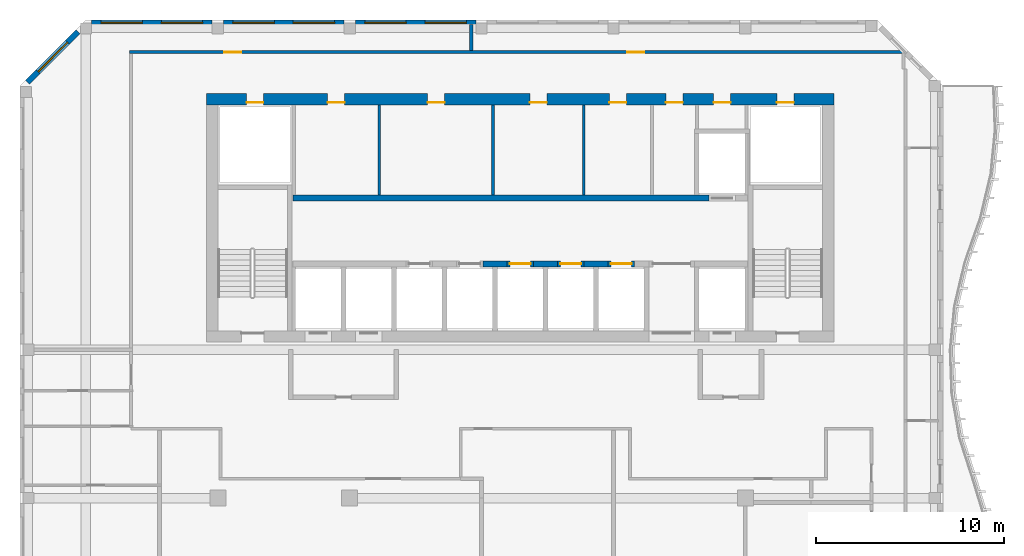
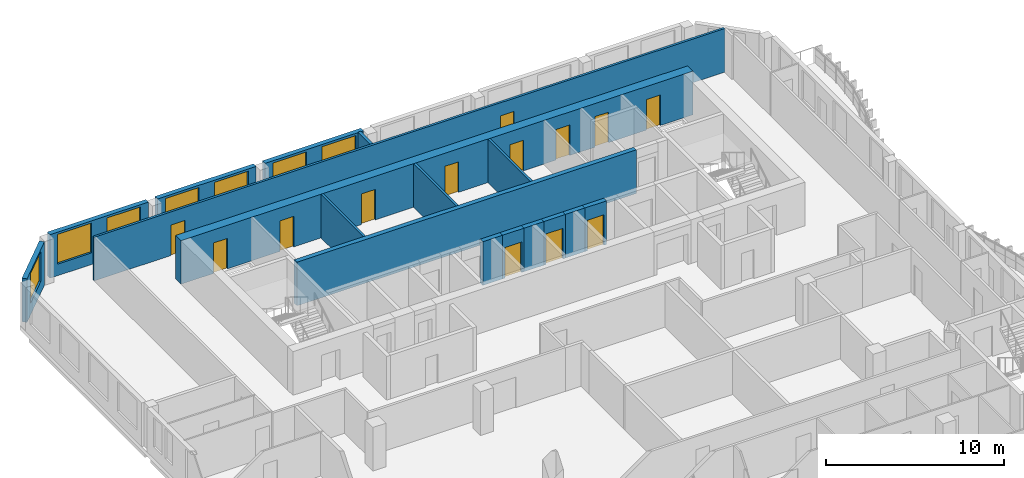
# One storey, part 7 of 14: 17 walls, 13 doors, 7 windows, 20 openings.
"""IFC4 building model written with IfcOpenShell, lengths in metres."""

from ifc_helpers import new_model, si_unit, direction, frame, frame_2d, origin, place, context, subcontext, project, spatial, rectangle, extrude, source, transform, mapped, material, layer, layer_set, type_object, element, fill, save


model = new_model("IFC4")

# Units and contexts
model_context = context("Model", 3, precision=1e-05, world=origin(), true_north=direction((0.0, 1.0)))
body_context = subcontext(model_context, "Body", "Model", "MODEL_VIEW")
ifc_project = project(units=[si_unit("LENGTHUNIT", "METRE"), si_unit("AREAUNIT", "SQUARE_METRE"), si_unit("VOLUMEUNIT", "CUBIC_METRE"), si_unit("PLANEANGLEUNIT", "RADIAN"), si_unit("MASSUNIT", "GRAM", prefix="KILO")], contexts=[model_context])

# Site, building, storey
site_placement = place(None, origin())
site = spatial("IfcSite", under=ifc_project, at=site_placement, CompositionType="ELEMENT")
building_placement = place(site_placement, origin())
building = spatial("IfcBuilding", under=site, at=building_placement, Name="Kilnfold Tower and Market Hall", CompositionType="ELEMENT")
storey_placement = place(building_placement, frame((0.0, 0.0, 315.39990234375)))
storey = spatial("IfcBuildingStorey", under=building, at=storey_placement, Name="L79", CompositionType="ELEMENT", Elevation=315.39990234375)

# Wall, openings, doors
ifc_material_1 = material(Name="Gypsum board on steel studs", Category="steel")
ifc_layer_1 = layer(ifc_material_1, 0.14990234375)
ifc_layer_set_1 = layer_set([ifc_layer_1], Name="Gypsum board on steel studs")
wall_type_1 = type_object("IfcWallType", Name="WALL CORRIDOR 150", PredefinedType="PARTITIONING", material=ifc_layer_set_1)
wall_1_placement = place(storey_placement, frame((-19.675048828125, 23.800048828125, 0.0), z_axis=(0.0, 0.0, 1.0), x_axis=(1.0, 0.0, 0.0)))
wall_1 = element("IfcWall", 1, at=wall_1_placement, inside=storey, type_object=wall_type_1, Name="Partition LY47.11", PredefinedType="PARTITIONING", context=body_context, shape_type="SweptSolid", body=[
    extrude(rectangle(XDim=41.02099609375, YDim=0.14990234375, at=frame_2d((20.510498046875, 0.0))), origin(), (0.0, 0.0, 1.0), 3.0),
])
opening_1_placement = place(wall_1_placement, frame((5.010009765625, 0.0, 0.0)))
opening_1 = element("IfcOpeningElement", 2, at=opening_1_placement, cuts=wall_1, Name="Opening D2", PredefinedType="OPENING", context=body_context, shape_type="SweptSolid", body=[
    extrude(rectangle(XDim=0.89990234375, YDim=2.10009765625, at=frame_2d((0.449951171875, 1.050048828125))), frame((0.0, 0.0849609375, 0.0), z_axis=(0.0, -1.0, 0.0), x_axis=(1.0, 0.0, 0.0)), (0.0, 0.0, 1.0), 0.169921875),
])
opening_2_placement = place(wall_1_placement, frame((26.4169921875, 0.0, 0.0)))
opening_2 = element("IfcOpeningElement", 3, at=opening_2_placement, cuts=wall_1, Name="Opening D2", PredefinedType="OPENING", context=body_context, shape_type="SweptSolid", body=[
    extrude(rectangle(XDim=0.89990234375, YDim=2.10009765625, at=frame_2d((0.449951171875, 1.050048828125))), frame((0.0, 0.0849609375, 0.0), z_axis=(0.0, -1.0, 0.0), x_axis=(1.0, 0.0, 0.0)), (0.0, 0.0, 1.0), 0.169921875),
])
ifc_material_2 = material(Name="Timber veneer door leaf in steel frame", Category="steel")
door_type_1 = type_object("IfcDoorType", Name="DOOR ROOM 900 X2100", OperationType="NOTDEFINED", PredefinedType="DOOR", material=ifc_material_2)
door_1_placement = place(opening_1_placement, origin())
door_1 = element("IfcDoor", 4, at=door_1_placement, inside=storey, type_object=door_type_1, Name="Door D2", OperationType="SINGLE_SWING_LEFT", OverallHeight=2.10009765625, OverallWidth=0.89990234375, PredefinedType="DOOR", context=body_context, shape_type="SweptSolid", body=[
    extrude(rectangle(XDim=0.89990234375, YDim=2.10009765625, at=frame_2d((0.449951171875, 1.050048828125))), frame((0.0, 0.02490234375, 0.0), z_axis=(0.0, -1.0, 0.0), x_axis=(1.0, 0.0, 0.0)), (0.0, 0.0, 1.0), 0.050048828125),
])
fill(opening_1, door_1)
door_2_placement = place(opening_2_placement, origin())
door_2 = element("IfcDoor", 5, at=door_2_placement, inside=storey, type_object=door_type_1, Name="Door D2", OperationType="SINGLE_SWING_RIGHT", OverallHeight=2.10009765625, OverallWidth=0.89990234375, PredefinedType="DOOR", context=body_context, shape_type="SweptSolid", body=[
    extrude(rectangle(XDim=0.89990234375, YDim=2.10009765625, at=frame_2d((0.449951171875, 1.050048828125))), frame((0.0, 0.02490234375, 0.0), z_axis=(0.0, -1.0, 0.0), x_axis=(1.0, 0.0, 0.0)), (0.0, 0.0, 1.0), 0.050048828125),
])
fill(opening_2, door_2)

# Walls
ifc_material_3 = material(Name="Gypsum board on steel studs", Category="steel")
ifc_layer_2 = layer(ifc_material_3, 0.199951171875)
ifc_layer_set_2 = layer_set([ifc_layer_2], Name="Gypsum board on steel studs")
wall_type_2 = type_object("IfcWallType", Name="WALL PARTY 200", PredefinedType="PARTITIONING", material=ifc_layer_set_2)
wall_2_placement = place(storey_placement, frame((-1.550048828125, 23.876953125, 0.0), z_axis=(0.0, 0.0, 1.0), x_axis=(0.0, 1.0, 0.0)))
element("IfcWall", 6, at=wall_2_placement, inside=storey, type_object=wall_type_2, Name="Partition LY47.69", PredefinedType="PARTITIONING", context=body_context, shape_type="SweptSolid", body=[
    extrude(rectangle(XDim=1.373046875, YDim=0.199951171875, at=frame_2d((0.6865234375, 0.0))), origin(), (0.0, 0.0, 1.0), 3.0),
])
ifc_material_4 = material(Name="Concrete C50", Category="concrete")
ifc_layer_3 = layer(ifc_material_4, 0.300048828125)
ifc_layer_set_3 = layer_set([ifc_layer_3], Name="Concrete C50")
wall_type_3 = type_object("IfcWallType", Name="CORE WALL 300 C50", PredefinedType="SHEAR", material=ifc_layer_set_3)
shared_shape_1 = source(origin(), body_context, "Body", "SweptSolid", [
    extrude(rectangle(XDim=1.280029296875, YDim=0.300048828125, at=frame_2d((0.64013671875, 0.0))), origin(), (0.0, 0.0, 1.0), 3.0),
])
for number, where, z_axis, x_axis, name in (
    (7, (-0.929931640625, 12.550048828125, 0.0), (0.0, 0.0, 1.0), (1.0, 0.0, 0.0), "Core spine wall"),
    (8, (1.75, 12.550048828125, 0.0), (0.0, 0.0, 1.0), (1.0, 0.0, 0.0), "Core spine wall"),
    (9, (4.429931640625, 12.550048828125, 0.0), (0.0, 0.0, 1.0), (1.0, 0.0, 0.0), "Core spine wall"),
):
    element("IfcWall", number, at=place(storey_placement, frame(where, z_axis=z_axis, x_axis=x_axis)), inside=storey, type_object=wall_type_3, Name=name, PredefinedType="SHEAR", context=body_context, shape_type="MappedRepresentation", body=[
        mapped(shared_shape_1, transform((0.0, 0.0, 0.0))),
    ])
shared_shape_2 = source(origin(), body_context, "Body", "SweptSolid", [
    extrude(rectangle(XDim=22.080078125, YDim=0.300048828125, at=frame_2d((11.0400390625, 0.0))), origin(), (0.0, 0.0, 1.0), 3.0),
])
wall_3_placement = place(storey_placement, frame((-11.010009765625, 16.050048828125, 0.0), z_axis=(0.0, 0.0, 1.0), x_axis=(1.0, 0.0, 0.0)))
element("IfcWall", 10, at=wall_3_placement, inside=storey, type_object=wall_type_3, Name="Core spine wall", PredefinedType="SHEAR", context=body_context, shape_type="MappedRepresentation", body=[
    mapped(shared_shape_2, transform((0.0, 0.0, 0.0))),
])

# Wall, openings, doors
ifc_material_5 = material(Name="Concrete C50", Category="concrete")
ifc_layer_4 = layer(ifc_material_5, 0.60009765625)
ifc_layer_set_4 = layer_set([ifc_layer_4], Name="Concrete C50")
wall_type_4 = type_object("IfcWallType", Name="CORE WALL 600 C50", PredefinedType="SHEAR", material=ifc_layer_set_4)
shared_shape_3 = source(origin(), body_context, "Body", "SweptSolid", [
    extrude(rectangle(XDim=33.300048828125, YDim=0.60009765625, at=frame_2d((16.64990234375, 0.0))), origin(), (0.0, 0.0, 1.0), 3.0),
])
wall_4_placement = place(storey_placement, frame((-15.60009765625, 21.300048828125, 0.0), z_axis=(0.0, 0.0, 1.0), x_axis=(1.0, 0.0, 0.0)))
wall_4 = element("IfcWall", 11, at=wall_4_placement, inside=storey, type_object=wall_type_4, Name="Core outer wall north", PredefinedType="SHEAR", context=body_context, shape_type="MappedRepresentation", body=[
    mapped(shared_shape_3, transform((0.0, 0.0, 0.0))),
])
opening_3_placement = place(wall_4_placement, frame((6.431396484375, 0.0, 0.0)))
opening_3 = element("IfcOpeningElement", 12, at=opening_3_placement, cuts=wall_4, Name="Opening KD1", PredefinedType="OPENING", context=body_context, shape_type="SweptSolid", body=[
    extrude(rectangle(XDim=0.89990234375, YDim=2.10009765625, at=frame_2d((0.449951171875, 1.050048828125))), frame((0.0, 0.31005859375, 0.0), z_axis=(0.0, -1.0, 0.0), x_axis=(1.0, 0.0, 0.0)), (0.0, 0.0, 1.0), 0.6201171875),
])
opening_4_placement = place(wall_4_placement, frame((11.73779296875, 0.0, 0.0)))
opening_4 = element("IfcOpeningElement", 13, at=opening_4_placement, cuts=wall_4, Name="Opening KD1", PredefinedType="OPENING", context=body_context, shape_type="SweptSolid", body=[
    extrude(rectangle(XDim=0.89990234375, YDim=2.10009765625, at=frame_2d((0.449951171875, 1.050048828125))), frame((0.0, 0.31005859375, 0.0), z_axis=(0.0, -1.0, 0.0), x_axis=(1.0, 0.0, 0.0)), (0.0, 0.0, 1.0), 0.6201171875),
])
opening_5_placement = place(wall_4_placement, frame((17.164794921875, 0.0, 0.0)))
opening_5 = element("IfcOpeningElement", 14, at=opening_5_placement, cuts=wall_4, Name="Opening KD1", PredefinedType="OPENING", context=body_context, shape_type="SweptSolid", body=[
    extrude(rectangle(XDim=0.89990234375, YDim=2.10009765625, at=frame_2d((0.449951171875, 1.050048828125))), frame((0.0, 0.31005859375, 0.0), z_axis=(0.0, -1.0, 0.0), x_axis=(1.0, 0.0, 0.0)), (0.0, 0.0, 1.0), 0.6201171875),
])
opening_6_placement = place(wall_4_placement, frame((21.3857421875, 0.0, 0.0)))
opening_6 = element("IfcOpeningElement", 15, at=opening_6_placement, cuts=wall_4, Name="Opening KD1", PredefinedType="OPENING", context=body_context, shape_type="SweptSolid", body=[
    extrude(rectangle(XDim=0.89990234375, YDim=2.10009765625, at=frame_2d((0.449951171875, 1.050048828125))), frame((0.0, 0.31005859375, 0.0), z_axis=(0.0, -1.0, 0.0), x_axis=(1.0, 0.0, 0.0)), (0.0, 0.0, 1.0), 0.6201171875),
])
opening_7_placement = place(wall_4_placement, frame((24.387451171875, 0.0, 0.0)))
opening_7 = element("IfcOpeningElement", 16, at=opening_7_placement, cuts=wall_4, Name="Opening KD1", PredefinedType="OPENING", context=body_context, shape_type="SweptSolid", body=[
    extrude(rectangle(XDim=0.89990234375, YDim=2.10009765625, at=frame_2d((0.449951171875, 1.050048828125))), frame((0.0, 0.31005859375, 0.0), z_axis=(0.0, -1.0, 0.0), x_axis=(1.0, 0.0, 0.0)), (0.0, 0.0, 1.0), 0.6201171875),
])
opening_8_placement = place(wall_4_placement, frame((26.919921875, 0.0, 0.0)))
opening_8 = element("IfcOpeningElement", 17, at=opening_8_placement, cuts=wall_4, Name="Opening KD1", PredefinedType="OPENING", context=body_context, shape_type="SweptSolid", body=[
    extrude(rectangle(XDim=0.89990234375, YDim=2.10009765625, at=frame_2d((0.449951171875, 1.050048828125))), frame((0.0, 0.31005859375, 0.0), z_axis=(0.0, -1.0, 0.0), x_axis=(1.0, 0.0, 0.0)), (0.0, 0.0, 1.0), 0.6201171875),
])
opening_9_placement = place(wall_4_placement, frame((2.125, 0.0, 0.0)))
opening_9 = element("IfcOpeningElement", 18, at=opening_9_placement, cuts=wall_4, Name="Opening KD1", PredefinedType="OPENING", context=body_context, shape_type="SweptSolid", body=[
    extrude(rectangle(XDim=0.89990234375, YDim=2.10009765625, at=frame_2d((0.449951171875, 1.050048828125))), frame((0.0, 0.31005859375, 0.0), z_axis=(0.0, -1.0, 0.0), x_axis=(1.0, 0.0, 0.0)), (0.0, 0.0, 1.0), 0.6201171875),
])
opening_10_placement = place(wall_4_placement, frame((30.27490234375, 0.0, 0.0)))
opening_10 = element("IfcOpeningElement", 19, at=opening_10_placement, cuts=wall_4, Name="Opening KD1", PredefinedType="OPENING", context=body_context, shape_type="SweptSolid", body=[
    extrude(rectangle(XDim=0.89990234375, YDim=2.10009765625, at=frame_2d((0.449951171875, 1.050048828125))), frame((0.0, 0.31005859375, 0.0), z_axis=(0.0, -1.0, 0.0), x_axis=(1.0, 0.0, 0.0)), (0.0, 0.0, 1.0), 0.6201171875),
])
ifc_material_6 = material(Name="Steel door set with fire-resisting leaf", Category="steel")
door_type_2 = type_object("IfcDoorType", Name="SERVICE DOOR 900X2100", OperationType="NOTDEFINED", PredefinedType="DOOR", material=ifc_material_6)
door_3_placement = place(opening_3_placement, origin())
door_3 = element("IfcDoor", 20, at=door_3_placement, inside=storey, type_object=door_type_2, Name="Core service door", OperationType="SINGLE_SWING_RIGHT", OverallHeight=2.10009765625, OverallWidth=0.89990234375, PredefinedType="DOOR", context=body_context, shape_type="SweptSolid", body=[
    extrude(rectangle(XDim=0.89990234375, YDim=2.10009765625, at=frame_2d((0.449951171875, 1.050048828125))), frame((0.0, -0.15478515625, 0.0), z_axis=(0.0, -1.0, 0.0), x_axis=(1.0, 0.0, 0.0)), (0.0, 0.0, 1.0), 0.050048828125),
])
fill(opening_3, door_3)
door_4_placement = place(opening_4_placement, origin())
door_4 = element("IfcDoor", 21, at=door_4_placement, inside=storey, type_object=door_type_2, Name="Core service door", OperationType="SINGLE_SWING_LEFT", OverallHeight=2.10009765625, OverallWidth=0.89990234375, PredefinedType="DOOR", context=body_context, shape_type="SweptSolid", body=[
    extrude(rectangle(XDim=0.89990234375, YDim=2.10009765625, at=frame_2d((0.449951171875, 1.050048828125))), frame((0.0, -0.15478515625, 0.0), z_axis=(0.0, -1.0, 0.0), x_axis=(1.0, 0.0, 0.0)), (0.0, 0.0, 1.0), 0.050048828125),
])
fill(opening_4, door_4)
door_5_placement = place(opening_5_placement, origin())
door_5 = element("IfcDoor", 22, at=door_5_placement, inside=storey, type_object=door_type_2, Name="Core service door", OperationType="SINGLE_SWING_RIGHT", OverallHeight=2.10009765625, OverallWidth=0.89990234375, PredefinedType="DOOR", context=body_context, shape_type="SweptSolid", body=[
    extrude(rectangle(XDim=0.89990234375, YDim=2.10009765625, at=frame_2d((0.449951171875, 1.050048828125))), frame((0.0, -0.15478515625, 0.0), z_axis=(0.0, -1.0, 0.0), x_axis=(1.0, 0.0, 0.0)), (0.0, 0.0, 1.0), 0.050048828125),
])
fill(opening_5, door_5)
door_6_placement = place(opening_6_placement, origin())
door_6 = element("IfcDoor", 23, at=door_6_placement, inside=storey, type_object=door_type_2, Name="Core service door", OperationType="SINGLE_SWING_LEFT", OverallHeight=2.10009765625, OverallWidth=0.89990234375, PredefinedType="DOOR", context=body_context, shape_type="SweptSolid", body=[
    extrude(rectangle(XDim=0.89990234375, YDim=2.10009765625, at=frame_2d((0.449951171875, 1.050048828125))), frame((0.0, -0.15478515625, 0.0), z_axis=(0.0, -1.0, 0.0), x_axis=(1.0, 0.0, 0.0)), (0.0, 0.0, 1.0), 0.050048828125),
])
fill(opening_6, door_6)
door_7_placement = place(opening_7_placement, origin())
door_7 = element("IfcDoor", 24, at=door_7_placement, inside=storey, type_object=door_type_2, Name="Core service door", OperationType="SINGLE_SWING_RIGHT", OverallHeight=2.10009765625, OverallWidth=0.89990234375, PredefinedType="DOOR", context=body_context, shape_type="SweptSolid", body=[
    extrude(rectangle(XDim=0.89990234375, YDim=2.10009765625, at=frame_2d((0.449951171875, 1.050048828125))), frame((0.0, -0.15478515625, 0.0), z_axis=(0.0, -1.0, 0.0), x_axis=(1.0, 0.0, 0.0)), (0.0, 0.0, 1.0), 0.050048828125),
])
fill(opening_7, door_7)
door_8_placement = place(opening_8_placement, origin())
door_8 = element("IfcDoor", 25, at=door_8_placement, inside=storey, type_object=door_type_2, Name="Core service door", OperationType="SINGLE_SWING_LEFT", OverallHeight=2.10009765625, OverallWidth=0.89990234375, PredefinedType="DOOR", context=body_context, shape_type="SweptSolid", body=[
    extrude(rectangle(XDim=0.89990234375, YDim=2.10009765625, at=frame_2d((0.449951171875, 1.050048828125))), frame((0.0, -0.15478515625, 0.0), z_axis=(0.0, -1.0, 0.0), x_axis=(1.0, 0.0, 0.0)), (0.0, 0.0, 1.0), 0.050048828125),
])
fill(opening_8, door_8)
door_9_placement = place(opening_9_placement, origin())
door_9 = element("IfcDoor", 26, at=door_9_placement, inside=storey, type_object=door_type_2, Name="Electrical riser access door", OperationType="SINGLE_SWING_RIGHT", OverallHeight=2.10009765625, OverallWidth=0.89990234375, PredefinedType="DOOR", context=body_context, shape_type="SweptSolid", body=[
    extrude(rectangle(XDim=0.89990234375, YDim=2.10009765625, at=frame_2d((0.449951171875, 1.050048828125))), frame((0.0, -0.15478515625, 0.0), z_axis=(0.0, -1.0, 0.0), x_axis=(1.0, 0.0, 0.0)), (0.0, 0.0, 1.0), 0.050048828125),
])
fill(opening_9, door_9)
door_10_placement = place(opening_10_placement, origin())
door_10 = element("IfcDoor", 27, at=door_10_placement, inside=storey, type_object=door_type_2, Name="Mechanical riser access door", OperationType="SINGLE_SWING_LEFT", OverallHeight=2.10009765625, OverallWidth=0.89990234375, PredefinedType="DOOR", context=body_context, shape_type="SweptSolid", body=[
    extrude(rectangle(XDim=0.89990234375, YDim=2.10009765625, at=frame_2d((0.449951171875, 1.050048828125))), frame((0.0, -0.15478515625, 0.0), z_axis=(0.0, -1.0, 0.0), x_axis=(1.0, 0.0, 0.0)), (0.0, 0.0, 1.0), 0.050048828125),
])
fill(opening_10, door_10)

# Wall, openings, windows
ifc_material_7 = material(Name="Precast concrete C50/60", Category="concrete")
ifc_layer_5 = layer(ifc_material_7, 0.300048828125)
ifc_layer_set_5 = layer_set([ifc_layer_5], Name="Precast concrete C50/60")
wall_type_5 = type_object("IfcWallType", Name="PRECAST WALL 300", PredefinedType="SOLIDWALL", material=ifc_layer_set_5)
shared_shape_4 = source(origin(), body_context, "Body", "SweptSolid", [
    extrude(rectangle(XDim=6.39990234375, YDim=0.300048828125, at=frame_2d((3.199951171875, 0.0))), origin(), (0.0, 0.0, 1.0), 3.0),
])
wall_5_placement = place(storey_placement, frame((-1.300048828125, 25.35009765625, 0.0), z_axis=(0.0, 0.0, 1.0), x_axis=(-1.0, 0.0, 0.0)))
wall_5 = element("IfcWall", 28, at=wall_5_placement, inside=storey, type_object=wall_type_5, Name="External wall L79 N", PredefinedType="SOLIDWALL", context=body_context, shape_type="MappedRepresentation", body=[
    mapped(shared_shape_4, transform((0.0, 0.0, 0.0))),
])
opening_11_placement = place(wall_5_placement, frame((0.5, 0.0, 0.800048828125)))
opening_11 = element("IfcOpeningElement", 29, at=opening_11_placement, cuts=wall_5, Name="Opening W3", PredefinedType="OPENING", context=body_context, shape_type="SweptSolid", body=[
    extrude(rectangle(XDim=2.199951171875, YDim=2.050048828125, at=frame_2d((1.10009765625, 1.02490234375))), frame((0.0, 0.16015625, 0.0), z_axis=(0.0, -1.0, 0.0), x_axis=(1.0, 0.0, 0.0)), (0.0, 0.0, 1.0), 0.320068359375),
])
opening_12_placement = place(wall_5_placement, frame((3.699951171875, 0.0, 0.800048828125)))
opening_12 = element("IfcOpeningElement", 30, at=opening_12_placement, cuts=wall_5, Name="Opening W3", PredefinedType="OPENING", context=body_context, shape_type="SweptSolid", body=[
    extrude(rectangle(XDim=2.199951171875, YDim=2.050048828125, at=frame_2d((1.10009765625, 1.02490234375))), frame((0.0, 0.16015625, 0.0), z_axis=(0.0, -1.0, 0.0), x_axis=(1.0, 0.0, 0.0)), (0.0, 0.0, 1.0), 0.320068359375),
])
ifc_material_8 = material(Name="Aluminium frame and double glazing", Category="aluminium")
window_type = type_object("IfcWindowType", Name="WINDOW W3 2200X2050", PartitioningType="SINGLE_PANEL", PredefinedType="WINDOW", material=ifc_material_8)
window_1_placement = place(opening_11_placement, origin())
window_1 = element("IfcWindow", 31, at=window_1_placement, inside=storey, type_object=window_type, Name="Window W3 L79 N-1", OverallHeight=2.050048828125, OverallWidth=2.199951171875, PartitioningType="SINGLE_PANEL", PredefinedType="WINDOW", context=body_context, shape_type="SweptSolid", body=[
    extrude(rectangle(XDim=2.199951171875, YDim=2.050048828125, at=frame_2d((1.10009765625, 1.02490234375))), frame((0.0, 0.030029296875, 0.0), z_axis=(0.0, -1.0, 0.0), x_axis=(1.0, 0.0, 0.0)), (0.0, 0.0, 1.0), 0.06005859375),
])
fill(opening_11, window_1)
window_2_placement = place(opening_12_placement, origin())
window_2 = element("IfcWindow", 32, at=window_2_placement, inside=storey, type_object=window_type, Name="Window W3 L79 N-2", OverallHeight=2.050048828125, OverallWidth=2.199951171875, PartitioningType="SINGLE_PANEL", PredefinedType="WINDOW", context=body_context, shape_type="SweptSolid", body=[
    extrude(rectangle(XDim=2.199951171875, YDim=2.050048828125, at=frame_2d((1.10009765625, 1.02490234375))), frame((0.0, 0.030029296875, 0.0), z_axis=(0.0, -1.0, 0.0), x_axis=(1.0, 0.0, 0.0)), (0.0, 0.0, 1.0), 0.06005859375),
])
fill(opening_12, window_2)

wall_6_placement = place(storey_placement, frame((-8.300048828125, 25.35009765625, 0.0), z_axis=(0.0, 0.0, 1.0), x_axis=(-1.0, 0.0, 0.0)))
wall_6 = element("IfcWall", 33, at=wall_6_placement, inside=storey, type_object=wall_type_5, Name="External wall L79 N", PredefinedType="SOLIDWALL", context=body_context, shape_type="MappedRepresentation", body=[
    mapped(shared_shape_4, transform((0.0, 0.0, 0.0))),
])
opening_13_placement = place(wall_6_placement, frame((0.5, 0.0, 0.800048828125)))
opening_13 = element("IfcOpeningElement", 34, at=opening_13_placement, cuts=wall_6, Name="Opening W3", PredefinedType="OPENING", context=body_context, shape_type="SweptSolid", body=[
    extrude(rectangle(XDim=2.199951171875, YDim=2.050048828125, at=frame_2d((1.10009765625, 1.02490234375))), frame((0.0, 0.16015625, 0.0), z_axis=(0.0, -1.0, 0.0), x_axis=(1.0, 0.0, 0.0)), (0.0, 0.0, 1.0), 0.320068359375),
])
opening_14_placement = place(wall_6_placement, frame((3.699951171875, 0.0, 0.800048828125)))
opening_14 = element("IfcOpeningElement", 35, at=opening_14_placement, cuts=wall_6, Name="Opening W3", PredefinedType="OPENING", context=body_context, shape_type="SweptSolid", body=[
    extrude(rectangle(XDim=2.199951171875, YDim=2.050048828125, at=frame_2d((1.10009765625, 1.02490234375))), frame((0.0, 0.16015625, 0.0), z_axis=(0.0, -1.0, 0.0), x_axis=(1.0, 0.0, 0.0)), (0.0, 0.0, 1.0), 0.320068359375),
])
window_3_placement = place(opening_13_placement, origin())
window_3 = element("IfcWindow", 36, at=window_3_placement, inside=storey, type_object=window_type, Name="Window W3 L79 N-1", OverallHeight=2.050048828125, OverallWidth=2.199951171875, PartitioningType="SINGLE_PANEL", PredefinedType="WINDOW", context=body_context, shape_type="SweptSolid", body=[
    extrude(rectangle(XDim=2.199951171875, YDim=2.050048828125, at=frame_2d((1.10009765625, 1.02490234375))), frame((0.0, 0.030029296875, 0.0), z_axis=(0.0, -1.0, 0.0), x_axis=(1.0, 0.0, 0.0)), (0.0, 0.0, 1.0), 0.06005859375),
])
fill(opening_13, window_3)
window_4_placement = place(opening_14_placement, origin())
window_4 = element("IfcWindow", 37, at=window_4_placement, inside=storey, type_object=window_type, Name="Window W3 L79 N-2", OverallHeight=2.050048828125, OverallWidth=2.199951171875, PartitioningType="SINGLE_PANEL", PredefinedType="WINDOW", context=body_context, shape_type="SweptSolid", body=[
    extrude(rectangle(XDim=2.199951171875, YDim=2.050048828125, at=frame_2d((1.10009765625, 1.02490234375))), frame((0.0, 0.030029296875, 0.0), z_axis=(0.0, -1.0, 0.0), x_axis=(1.0, 0.0, 0.0)), (0.0, 0.0, 1.0), 0.06005859375),
])
fill(opening_14, window_4)

wall_7_placement = place(storey_placement, frame((-15.300048828125, 25.35009765625, 0.0), z_axis=(0.0, 0.0, 1.0), x_axis=(-1.0, 0.0, 0.0)))
wall_7 = element("IfcWall", 38, at=wall_7_placement, inside=storey, type_object=wall_type_5, Name="External wall L79 N", PredefinedType="SOLIDWALL", context=body_context, shape_type="MappedRepresentation", body=[
    mapped(shared_shape_4, transform((0.0, 0.0, 0.0))),
])
opening_15_placement = place(wall_7_placement, frame((0.5, 0.0, 0.800048828125)))
opening_15 = element("IfcOpeningElement", 39, at=opening_15_placement, cuts=wall_7, Name="Opening W3", PredefinedType="OPENING", context=body_context, shape_type="SweptSolid", body=[
    extrude(rectangle(XDim=2.199951171875, YDim=2.050048828125, at=frame_2d((1.10009765625, 1.02490234375))), frame((0.0, 0.16015625, 0.0), z_axis=(0.0, -1.0, 0.0), x_axis=(1.0, 0.0, 0.0)), (0.0, 0.0, 1.0), 0.320068359375),
])
opening_16_placement = place(wall_7_placement, frame((3.699951171875, 0.0, 0.800048828125)))
opening_16 = element("IfcOpeningElement", 40, at=opening_16_placement, cuts=wall_7, Name="Opening W3", PredefinedType="OPENING", context=body_context, shape_type="SweptSolid", body=[
    extrude(rectangle(XDim=2.199951171875, YDim=2.050048828125, at=frame_2d((1.10009765625, 1.02490234375))), frame((0.0, 0.16015625, 0.0), z_axis=(0.0, -1.0, 0.0), x_axis=(1.0, 0.0, 0.0)), (0.0, 0.0, 1.0), 0.320068359375),
])
window_5_placement = place(opening_15_placement, origin())
window_5 = element("IfcWindow", 41, at=window_5_placement, inside=storey, type_object=window_type, Name="Window W3 L79 N-1", OverallHeight=2.050048828125, OverallWidth=2.199951171875, PartitioningType="SINGLE_PANEL", PredefinedType="WINDOW", context=body_context, shape_type="SweptSolid", body=[
    extrude(rectangle(XDim=2.199951171875, YDim=2.050048828125, at=frame_2d((1.10009765625, 1.02490234375))), frame((0.0, 0.030029296875, 0.0), z_axis=(0.0, -1.0, 0.0), x_axis=(1.0, 0.0, 0.0)), (0.0, 0.0, 1.0), 0.06005859375),
])
fill(opening_15, window_5)
window_6_placement = place(opening_16_placement, origin())
window_6 = element("IfcWindow", 42, at=window_6_placement, inside=storey, type_object=window_type, Name="Window W3 L79 N-2", OverallHeight=2.050048828125, OverallWidth=2.199951171875, PartitioningType="SINGLE_PANEL", PredefinedType="WINDOW", context=body_context, shape_type="SweptSolid", body=[
    extrude(rectangle(XDim=2.199951171875, YDim=2.050048828125, at=frame_2d((1.10009765625, 1.02490234375))), frame((0.0, 0.030029296875, 0.0), z_axis=(0.0, -1.0, 0.0), x_axis=(1.0, 0.0, 0.0)), (0.0, 0.0, 1.0), 0.06005859375),
])
fill(opening_16, window_6)

# Wall, opening, window
shared_shape_5 = source(origin(), body_context, "Body", "SweptSolid", [
    extrude(rectangle(XDim=3.783203125, YDim=0.300048828125, at=frame_2d((1.8916015625, 0.0))), origin(), (0.0, 0.0, 1.0), 3.0),
])
wall_8_placement = place(storey_placement, frame((-22.4189453125, 24.868896484375, 0.0), z_axis=(0.0, 0.0, 1.0), x_axis=(-0.707106781187, -0.707106781187, 0.0)))
wall_8 = element("IfcWall", 43, at=wall_8_placement, inside=storey, type_object=wall_type_5, Name="External wall L79 NW", PredefinedType="SOLIDWALL", context=body_context, shape_type="MappedRepresentation", body=[
    mapped(shared_shape_5, transform((0.0, 0.0, 0.0))),
])
opening_17_placement = place(wall_8_placement, frame((0.79150390625, 0.0, 0.800048828125)))
opening_17 = element("IfcOpeningElement", 44, at=opening_17_placement, cuts=wall_8, Name="Opening W3", PredefinedType="OPENING", context=body_context, shape_type="SweptSolid", body=[
    extrude(rectangle(XDim=2.199951171875, YDim=2.050048828125, at=frame_2d((1.10009765625, 1.02490234375))), frame((0.0, 0.16015625, 0.0), z_axis=(0.0, -1.0, 0.0), x_axis=(1.0, 0.0, 0.0)), (0.0, 0.0, 1.0), 0.320068359375),
])
window_7_placement = place(opening_17_placement, origin())
window_7 = element("IfcWindow", 45, at=window_7_placement, inside=storey, type_object=window_type, Name="Window W3 L79 NW-1", OverallHeight=2.050048828125, OverallWidth=2.199951171875, PartitioningType="SINGLE_PANEL", PredefinedType="WINDOW", context=body_context, shape_type="SweptSolid", body=[
    extrude(rectangle(XDim=2.199951171875, YDim=2.050048828125, at=frame_2d((1.10009765625, 1.02490234375))), frame((0.0, 0.030029296875, 0.0), z_axis=(0.0, -1.0, 0.0), x_axis=(1.0, 0.0, 0.0)), (0.0, 0.0, 1.0), 0.06005859375),
])
fill(opening_17, window_7)

# Wall, opening, door
ifc_material_9 = material(Name="Gypsum shaft wall system")
ifc_layer_6 = layer(ifc_material_9, 0.300048828125)
ifc_layer_set_6 = layer_set([ifc_layer_6], Name="Gypsum shaft wall system")
wall_type_6 = type_object("IfcWallType", Name="SHAFT WALL 300", PredefinedType="PARTITIONING", material=ifc_layer_set_6)
shared_shape_6 = source(origin(), body_context, "Body", "SweptSolid", [
    extrude(rectangle(XDim=1.39990234375, YDim=0.300048828125, at=frame_2d((0.699951171875, 0.0))), origin(), (0.0, 0.0, 1.0), 3.0),
])
wall_9_placement = place(storey_placement, frame((0.35009765625, 12.550048828125, 0.0), z_axis=(0.0, 0.0, 1.0), x_axis=(1.0, 0.0, 0.0)))
wall_9 = element("IfcWall", 46, at=wall_9_placement, inside=storey, type_object=wall_type_6, Name="Lift shaft front wall", PredefinedType="PARTITIONING", context=body_context, shape_type="MappedRepresentation", body=[
    mapped(shared_shape_6, transform((0.0, 0.0, 0.0))),
])
opening_18_placement = place(wall_9_placement, frame((0.14990234375, 0.0, 0.0)))
opening_18 = element("IfcOpeningElement", 47, at=opening_18_placement, cuts=wall_9, Name="Opening LD2", PredefinedType="OPENING", context=body_context, shape_type="SweptSolid", body=[
    extrude(rectangle(XDim=1.10009765625, YDim=2.10009765625, at=frame_2d((0.550048828125, 1.050048828125))), frame((0.0, 0.16015625, 0.0), z_axis=(0.0, -1.0, 0.0), x_axis=(1.0, 0.0, 0.0)), (0.0, 0.0, 1.0), 0.320068359375),
])
ifc_material_10 = material(Name="Steel door set with fire-resisting leaf", Category="steel")
door_type_3 = type_object("IfcDoorType", Name="LANDING DOOR 1100X2100", OperationType="NOTDEFINED", PredefinedType="DOOR", material=ifc_material_10)
door_11_placement = place(opening_18_placement, origin())
door_11 = element("IfcDoor", 48, at=door_11_placement, inside=storey, type_object=door_type_3, Name="Landing door HR3", OperationType="DOUBLE_DOOR_SLIDING", OverallHeight=2.10009765625, OverallWidth=1.10009765625, PredefinedType="DOOR", context=body_context, shape_type="SweptSolid", body=[
    extrude(rectangle(XDim=1.10009765625, YDim=2.10009765625, at=frame_2d((0.550048828125, 1.050048828125))), frame((0.0, 0.02490234375, 0.0), z_axis=(0.0, -1.0, 0.0), x_axis=(1.0, 0.0, 0.0)), (0.0, 0.0, 1.0), 0.050048828125),
])
fill(opening_18, door_11)

wall_10_placement = place(storey_placement, frame((3.030029296875, 12.550048828125, 0.0), z_axis=(0.0, 0.0, 1.0), x_axis=(1.0, 0.0, 0.0)))
wall_10 = element("IfcWall", 49, at=wall_10_placement, inside=storey, type_object=wall_type_6, Name="Lift shaft front wall", PredefinedType="PARTITIONING", context=body_context, shape_type="MappedRepresentation", body=[
    mapped(shared_shape_6, transform((0.0, 0.0, 0.0))),
])
opening_19_placement = place(wall_10_placement, frame((0.14990234375, 0.0, 0.0)))
opening_19 = element("IfcOpeningElement", 50, at=opening_19_placement, cuts=wall_10, Name="Opening LD2", PredefinedType="OPENING", context=body_context, shape_type="SweptSolid", body=[
    extrude(rectangle(XDim=1.10009765625, YDim=2.10009765625, at=frame_2d((0.550048828125, 1.050048828125))), frame((0.0, 0.16015625, 0.0), z_axis=(0.0, -1.0, 0.0), x_axis=(1.0, 0.0, 0.0)), (0.0, 0.0, 1.0), 0.320068359375),
])
door_12_placement = place(opening_19_placement, origin())
door_12 = element("IfcDoor", 51, at=door_12_placement, inside=storey, type_object=door_type_3, Name="Landing door HR4", OperationType="DOUBLE_DOOR_SLIDING", OverallHeight=2.10009765625, OverallWidth=1.10009765625, PredefinedType="DOOR", context=body_context, shape_type="SweptSolid", body=[
    extrude(rectangle(XDim=1.10009765625, YDim=2.10009765625, at=frame_2d((0.550048828125, 1.050048828125))), frame((0.0, 0.02490234375, 0.0), z_axis=(0.0, -1.0, 0.0), x_axis=(1.0, 0.0, 0.0)), (0.0, 0.0, 1.0), 0.050048828125),
])
fill(opening_19, door_12)

shared_shape_7 = source(origin(), body_context, "Body", "SweptSolid", [
    extrude(rectangle(XDim=1.400146484375, YDim=0.300048828125, at=frame_2d((0.7001953125, 0.0))), origin(), (0.0, 0.0, 1.0), 3.0),
])
wall_11_placement = place(storey_placement, frame((5.7099609375, 12.550048828125, 0.0), z_axis=(0.0, 0.0, 1.0), x_axis=(1.0, 0.0, 0.0)))
wall_11 = element("IfcWall", 52, at=wall_11_placement, inside=storey, type_object=wall_type_6, Name="Lift shaft front wall", PredefinedType="PARTITIONING", context=body_context, shape_type="MappedRepresentation", body=[
    mapped(shared_shape_7, transform((0.0, 0.0, 0.0))),
])
opening_20_placement = place(wall_11_placement, frame((0.14990234375, 0.0, 0.0)))
opening_20 = element("IfcOpeningElement", 53, at=opening_20_placement, cuts=wall_11, Name="Opening LD2", PredefinedType="OPENING", context=body_context, shape_type="SweptSolid", body=[
    extrude(rectangle(XDim=1.10009765625, YDim=2.10009765625, at=frame_2d((0.550048828125, 1.050048828125))), frame((0.0, 0.16015625, 0.0), z_axis=(0.0, -1.0, 0.0), x_axis=(1.0, 0.0, 0.0)), (0.0, 0.0, 1.0), 0.320068359375),
])
door_13_placement = place(opening_20_placement, origin())
door_13 = element("IfcDoor", 54, at=door_13_placement, inside=storey, type_object=door_type_3, Name="Landing door HR5", OperationType="DOUBLE_DOOR_SLIDING", OverallHeight=2.10009765625, OverallWidth=1.10009765625, PredefinedType="DOOR", context=body_context, shape_type="SweptSolid", body=[
    extrude(rectangle(XDim=1.10009765625, YDim=2.10009765625, at=frame_2d((0.550048828125, 1.050048828125))), frame((0.0, 0.02490234375, 0.0), z_axis=(0.0, -1.0, 0.0), x_axis=(1.0, 0.0, 0.0)), (0.0, 0.0, 1.0), 0.050048828125),
])
fill(opening_20, door_13)

# Walls
ifc_material_11 = material(Name="Gypsum shaft wall system")
ifc_layer_7 = layer(ifc_material_11, 0.14990234375)
ifc_layer_set_7 = layer_set([ifc_layer_7], Name="Gypsum shaft wall system")
wall_type_7 = type_object("IfcWallType", Name="ROOM WALL 150", PredefinedType="PARTITIONING", material=ifc_layer_set_7)
shared_shape_8 = source(origin(), body_context, "Body", "SweptSolid", [
    extrude(rectangle(XDim=4.800048828125, YDim=0.14990234375, at=frame_2d((2.39990234375, 0.0))), origin(), (0.0, 0.0, 1.0), 3.0),
])
for number, where, z_axis, x_axis, name in (
    (55, (-6.42724609375, 16.199951171875, 0.0), (0.0, 0.0, 1.0), (0.0, 1.0, 0.0), "Core room wall"),
    (56, (-0.397216796875, 16.199951171875, 0.0), (0.0, 0.0, 1.0), (0.0, 1.0, 0.0), "Core room wall"),
    (57, (4.4267578125, 16.199951171875, 0.0), (0.0, 0.0, 1.0), (0.0, 1.0, 0.0), "Core room wall"),
):
    element("IfcWall", number, at=place(storey_placement, frame(where, z_axis=z_axis, x_axis=x_axis)), inside=storey, type_object=wall_type_7, Name=name, PredefinedType="PARTITIONING", context=body_context, shape_type="MappedRepresentation", body=[
        mapped(shared_shape_8, transform((0.0, 0.0, 0.0))),
    ])

save(model, "model.ifc")
